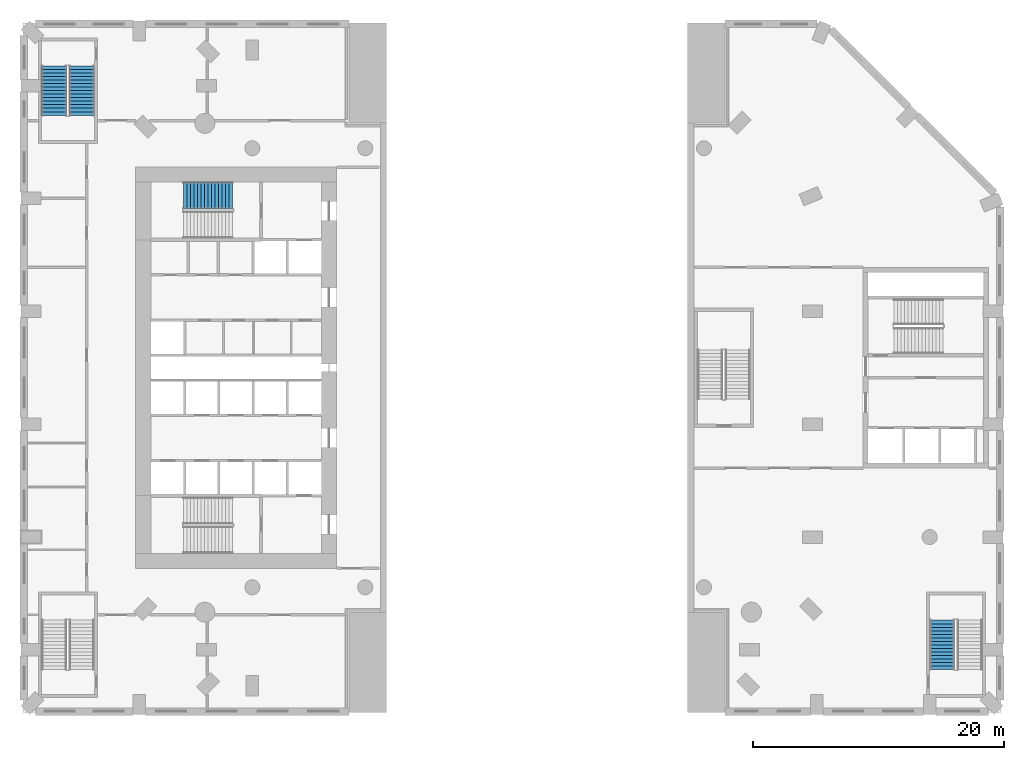
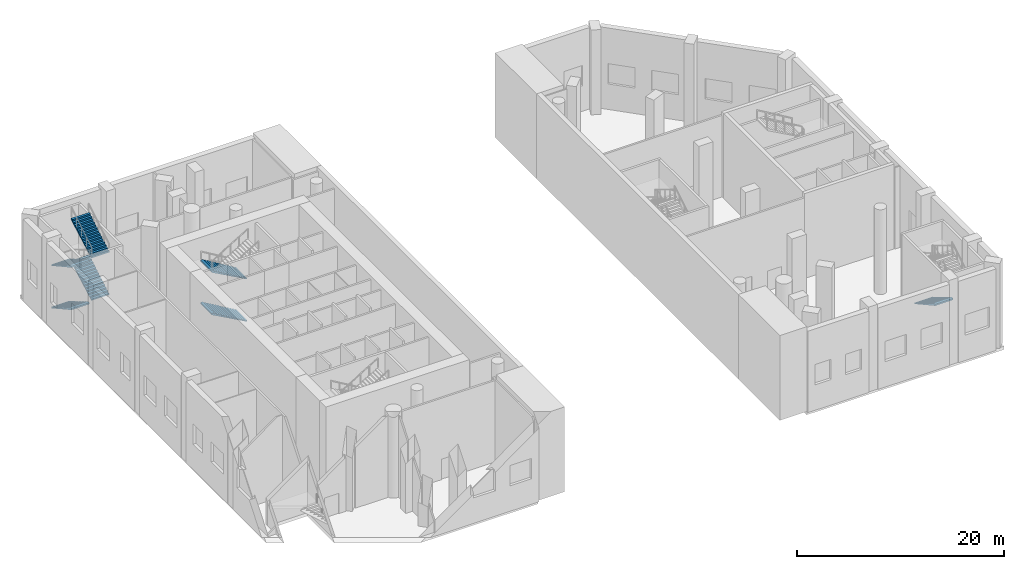
# One storey, part 11 of 16: 7 stair flights, 3 elements without a shape of their own.
"""IFC4 building model written with IfcOpenShell, lengths in metres."""

from ifc_helpers import new_model, si_unit, direction, frame, origin, place, context, subcontext, project, spatial, triangles, material, type_object, element, aggregate, save


model = new_model("IFC4")

# Units and contexts
model_context = context("Model", 3, precision=1e-05, world=origin(), true_north=direction((0.0, 1.0)))
body_context = subcontext(model_context, "Body", "Model", "MODEL_VIEW")
ifc_project = project(units=[si_unit("LENGTHUNIT", "METRE"), si_unit("AREAUNIT", "SQUARE_METRE"), si_unit("VOLUMEUNIT", "CUBIC_METRE"), si_unit("PLANEANGLEUNIT", "RADIAN"), si_unit("MASSUNIT", "GRAM", prefix="KILO")], contexts=[model_context])

# Site, building, storey
site_placement = place(None, origin())
site = spatial("IfcSite", under=ifc_project, at=site_placement, CompositionType="ELEMENT")
building_placement = place(site_placement, origin())
building = spatial("IfcBuilding", under=site, at=building_placement, Name="Cypress Arch Tower", CompositionType="ELEMENT")
storey_placement = place(building_placement, frame((0.0, 0.0, 9.0)))
storey = spatial("IfcBuildingStorey", under=building, at=storey_placement, Name="L01", CompositionType="ELEMENT", Elevation=9.0)

# Stair, stair flights
ifc_material_1 = material(Name="Concrete C40/50", Category="concrete")
stair_type_1 = type_object("IfcStairType", Name="Exit stair ES1667-200", PredefinedType="HALF_TURN_STAIR", material=ifc_material_1)
stair_1_placement = place(storey_placement, origin())
stair_1 = element("IfcStair", 1, at=stair_1_placement, inside=storey, type_object=stair_type_1, Name="L01 Exit stair P2", PredefinedType="HALF_TURN_STAIR")
ifc_material_2 = material(Name="Concrete C40/50", Category="concrete")
stair_flight_type_1 = type_object("IfcStairFlightType", Name="Exit stair flight ES1667-200", PredefinedType="STRAIGHT", material=ifc_material_2)
stair_flight_1_placement = place(storey_placement, frame((-36.5, 24.050048828125, 0.0), z_axis=(0.0, 0.0, 1.0), x_axis=(0.0, -1.0, 0.0)))
stair_flight_1 = element("IfcStairFlight", 2, at=stair_flight_1_placement, type_object=stair_flight_type_1, Name="P2 flight 1", NumberOfRisers=15, NumberOfTreads=14, PredefinedType="STRAIGHT", RiserHeight=0.166666667, TreadLength=0.28, context=body_context, shape_type="Tessellation", body=[
    triangles([(0.0, -1.0, 0.0), (0.0, -1.0, 0.166748046875), (0.280029296875, -1.0, 0.166748046875), (0.280029296875, -1.0, 0.333251953125), (0.56005859375, -1.0, 0.333251953125), (0.56005859375, -1.0, 0.5), (0.840087890625, -1.0, 0.5), (0.840087890625, -1.0, 0.666748046875), (1.1201171875, -1.0, 0.666748046875), (1.1201171875, -1.0, 0.833251953125), (1.39990234375, -1.0, 0.833251953125), (1.39990234375, -1.0, 1.0), (1.679931640625, -1.0, 1.0), (1.679931640625, -1.0, 1.166748046875), (1.9599609375, -1.0, 1.166748046875), (1.9599609375, -1.0, 1.333251953125), (2.239990234375, -1.0, 1.333251953125), (2.239990234375, -1.0, 1.5), (2.52001953125, -1.0, 1.5), (2.52001953125, -1.0, 1.666748046875), (2.800048828125, -1.0, 1.666748046875), (2.800048828125, -1.0, 1.833251953125), (3.080078125, -1.0, 1.833251953125), (3.080078125, -1.0, 2.0), (3.360107421875, -1.0, 2.0), (3.360107421875, -1.0, 2.166748046875), (3.639892578125, -1.0, 2.166748046875), (3.639892578125, -1.0, 2.333251953125), (3.919921875, -1.0, 2.333251953125), (3.919921875, -1.0, 2.158935546875), (3.919921875, 1.0, 2.158935546875), (3.919921875, 1.0, 2.333251953125), (3.639892578125, 1.0, 2.333251953125), (3.639892578125, 1.0, 2.166748046875), (3.360107421875, 1.0, 2.166748046875), (3.360107421875, 1.0, 2.0), (3.080078125, 1.0, 2.0), (3.080078125, 1.0, 1.833251953125), (2.800048828125, 1.0, 1.833251953125), (2.800048828125, 1.0, 1.666748046875), (2.52001953125, 1.0, 1.666748046875), (2.52001953125, 1.0, 1.5), (2.239990234375, 1.0, 1.5), (2.239990234375, 1.0, 1.333251953125), (1.9599609375, 1.0, 1.333251953125), (1.9599609375, 1.0, 1.166748046875), (1.679931640625, 1.0, 1.166748046875), (1.679931640625, 1.0, 1.0), (1.39990234375, 1.0, 1.0), (1.39990234375, 1.0, 0.833251953125), (1.1201171875, 1.0, 0.833251953125), (1.1201171875, 1.0, 0.666748046875), (0.840087890625, 1.0, 0.666748046875), (0.840087890625, 1.0, 0.5), (0.56005859375, 1.0, 0.5), (0.56005859375, 1.0, 0.333251953125), (0.280029296875, 1.0, 0.333251953125), (0.280029296875, 1.0, 0.166748046875), (0.0, 1.0, 0.166748046875), (0.0, 1.0, 0.0)], [[30, 29, 28], [27, 26, 25], [25, 24, 23], [21, 20, 19], [19, 18, 17], [15, 14, 13], [13, 12, 11], [9, 8, 7], [7, 6, 5], [3, 2, 1], [11, 10, 9], [23, 22, 21], [17, 16, 15], [5, 4, 3], [30, 28, 27], [30, 27, 25], [30, 25, 23], [30, 23, 21], [30, 21, 19], [30, 19, 17], [30, 17, 15], [30, 15, 13], [30, 13, 11], [30, 11, 9], [30, 9, 7], [30, 7, 5], [1, 30, 5], [5, 3, 1], [31, 33, 32], [34, 36, 35], [36, 38, 37], [40, 42, 41], [42, 44, 43], [46, 48, 47], [48, 50, 49], [52, 54, 53], [54, 56, 55], [58, 60, 59], [50, 52, 51], [38, 40, 39], [44, 46, 45], [56, 58, 57], [31, 34, 33], [31, 36, 34], [31, 38, 36], [31, 40, 38], [31, 42, 40], [31, 44, 42], [31, 46, 44], [31, 48, 46], [31, 50, 48], [31, 52, 50], [31, 54, 52], [31, 56, 54], [60, 56, 31], [56, 60, 58], [31, 32, 29], [31, 29, 30], [32, 33, 28], [32, 28, 29], [33, 34, 27], [33, 27, 28], [34, 35, 26], [34, 26, 27], [35, 36, 25], [35, 25, 26], [36, 37, 24], [36, 24, 25], [37, 38, 23], [37, 23, 24], [38, 39, 22], [38, 22, 23], [39, 40, 21], [39, 21, 22], [40, 41, 20], [40, 20, 21], [41, 42, 19], [41, 19, 20], [42, 43, 18], [42, 18, 19], [43, 44, 17], [43, 17, 18], [44, 45, 16], [44, 16, 17], [45, 46, 15], [45, 15, 16], [46, 47, 14], [46, 14, 15], [47, 48, 13], [47, 13, 14], [48, 49, 12], [48, 12, 13], [49, 50, 11], [49, 11, 12], [50, 51, 10], [50, 10, 11], [51, 52, 9], [51, 9, 10], [52, 53, 8], [52, 8, 9], [53, 54, 7], [53, 7, 8], [54, 55, 6], [54, 6, 7], [55, 56, 5], [55, 5, 6], [56, 57, 4], [56, 4, 5], [57, 58, 3], [57, 3, 4], [58, 59, 2], [58, 2, 3], [59, 60, 1], [59, 1, 2], [60, 31, 30], [60, 30, 1]], closed=True),
])
stair_flight_2_placement = place(storey_placement, frame((-34.300048828125, 20.1298828125, 2.5), z_axis=(0.0, 0.0, 1.0), x_axis=(0.0, 1.0, 0.0)))
stair_flight_2 = element("IfcStairFlight", 3, at=stair_flight_2_placement, type_object=stair_flight_type_1, Name="P2 flight 2", NumberOfRisers=15, NumberOfTreads=14, PredefinedType="STRAIGHT", RiserHeight=0.166666667, TreadLength=0.28, context=body_context, shape_type="Tessellation", body=[
    triangles([(0.0, -1.0, 0.0), (0.0, -1.0, 0.166748046875), (0.280029296875, -1.0, 0.166748046875), (0.280029296875, -1.0, 0.333251953125), (0.56005859375, -1.0, 0.333251953125), (0.56005859375, -1.0, 0.5), (0.840087890625, -1.0, 0.5), (0.840087890625, -1.0, 0.666748046875), (1.1201171875, -1.0, 0.666748046875), (1.1201171875, -1.0, 0.833251953125), (1.39990234375, -1.0, 0.833251953125), (1.39990234375, -1.0, 1.0), (1.679931640625, -1.0, 1.0), (1.679931640625, -1.0, 1.166748046875), (1.9599609375, -1.0, 1.166748046875), (1.9599609375, -1.0, 1.333251953125), (2.239990234375, -1.0, 1.333251953125), (2.239990234375, -1.0, 1.5), (2.52001953125, -1.0, 1.5), (2.52001953125, -1.0, 1.666748046875), (2.800048828125, -1.0, 1.666748046875), (2.800048828125, -1.0, 1.833251953125), (3.080078125, -1.0, 1.833251953125), (3.080078125, -1.0, 2.0), (3.360107421875, -1.0, 2.0), (3.360107421875, -1.0, 2.166748046875), (3.639892578125, -1.0, 2.166748046875), (3.639892578125, -1.0, 2.333251953125), (3.919921875, -1.0, 2.333251953125), (3.919921875, -1.0, 2.158935546875), (3.919921875, 1.0, 2.158935546875), (3.919921875, 1.0, 2.333251953125), (3.639892578125, 1.0, 2.333251953125), (3.639892578125, 1.0, 2.166748046875), (3.360107421875, 1.0, 2.166748046875), (3.360107421875, 1.0, 2.0), (3.080078125, 1.0, 2.0), (3.080078125, 1.0, 1.833251953125), (2.800048828125, 1.0, 1.833251953125), (2.800048828125, 1.0, 1.666748046875), (2.52001953125, 1.0, 1.666748046875), (2.52001953125, 1.0, 1.5), (2.239990234375, 1.0, 1.5), (2.239990234375, 1.0, 1.333251953125), (1.9599609375, 1.0, 1.333251953125), (1.9599609375, 1.0, 1.166748046875), (1.679931640625, 1.0, 1.166748046875), (1.679931640625, 1.0, 1.0), (1.39990234375, 1.0, 1.0), (1.39990234375, 1.0, 0.833251953125), (1.1201171875, 1.0, 0.833251953125), (1.1201171875, 1.0, 0.666748046875), (0.840087890625, 1.0, 0.666748046875), (0.840087890625, 1.0, 0.5), (0.56005859375, 1.0, 0.5), (0.56005859375, 1.0, 0.333251953125), (0.280029296875, 1.0, 0.333251953125), (0.280029296875, 1.0, 0.166748046875), (0.0, 1.0, 0.166748046875), (0.0, 1.0, 0.0)], [[30, 29, 28], [27, 26, 25], [25, 24, 23], [21, 20, 19], [19, 18, 17], [15, 14, 13], [13, 12, 11], [9, 8, 7], [7, 6, 5], [3, 2, 1], [11, 10, 9], [23, 22, 21], [17, 16, 15], [5, 4, 3], [30, 28, 27], [30, 27, 25], [30, 25, 23], [30, 23, 21], [30, 21, 19], [30, 19, 17], [30, 17, 15], [30, 15, 13], [30, 13, 11], [30, 11, 9], [30, 9, 7], [30, 7, 5], [1, 30, 5], [5, 3, 1], [31, 33, 32], [34, 36, 35], [36, 38, 37], [40, 42, 41], [42, 44, 43], [46, 48, 47], [48, 50, 49], [52, 54, 53], [54, 56, 55], [58, 60, 59], [50, 52, 51], [38, 40, 39], [44, 46, 45], [56, 58, 57], [31, 34, 33], [31, 36, 34], [31, 38, 36], [31, 40, 38], [31, 42, 40], [31, 44, 42], [31, 46, 44], [31, 48, 46], [31, 50, 48], [31, 52, 50], [31, 54, 52], [31, 56, 54], [60, 56, 31], [56, 60, 58], [31, 32, 29], [31, 29, 30], [32, 33, 28], [32, 28, 29], [33, 34, 27], [33, 27, 28], [34, 35, 26], [34, 26, 27], [35, 36, 25], [35, 25, 26], [36, 37, 24], [36, 24, 25], [37, 38, 23], [37, 23, 24], [38, 39, 22], [38, 22, 23], [39, 40, 21], [39, 21, 22], [40, 41, 20], [40, 20, 21], [41, 42, 19], [41, 19, 20], [42, 43, 18], [42, 18, 19], [43, 44, 17], [43, 17, 18], [44, 45, 16], [44, 16, 17], [45, 46, 15], [45, 15, 16], [46, 47, 14], [46, 14, 15], [47, 48, 13], [47, 13, 14], [48, 49, 12], [48, 12, 13], [49, 50, 11], [49, 11, 12], [50, 51, 10], [50, 10, 11], [51, 52, 9], [51, 9, 10], [52, 53, 8], [52, 8, 9], [53, 54, 7], [53, 7, 8], [54, 55, 6], [54, 6, 7], [55, 56, 5], [55, 5, 6], [56, 57, 4], [56, 4, 5], [57, 58, 3], [57, 3, 4], [58, 59, 2], [58, 2, 3], [59, 60, 1], [59, 1, 2], [60, 31, 30], [60, 30, 1]], closed=True),
])
stair_flight_3_placement = place(storey_placement, frame((-36.5, 24.050048828125, 5.0), z_axis=(0.0, 0.0, 1.0), x_axis=(0.0, -1.0, 0.0)))
stair_flight_3 = element("IfcStairFlight", 4, at=stair_flight_3_placement, type_object=stair_flight_type_1, Name="P2 flight 3", NumberOfRisers=15, NumberOfTreads=14, PredefinedType="STRAIGHT", RiserHeight=0.166666667, TreadLength=0.28, context=body_context, shape_type="Tessellation", body=[
    triangles([(0.0, -1.0, 0.0), (0.0, -1.0, 0.166748046875), (0.280029296875, -1.0, 0.166748046875), (0.280029296875, -1.0, 0.333251953125), (0.56005859375, -1.0, 0.333251953125), (0.56005859375, -1.0, 0.5), (0.840087890625, -1.0, 0.5), (0.840087890625, -1.0, 0.666748046875), (1.1201171875, -1.0, 0.666748046875), (1.1201171875, -1.0, 0.833251953125), (1.39990234375, -1.0, 0.833251953125), (1.39990234375, -1.0, 1.0), (1.679931640625, -1.0, 1.0), (1.679931640625, -1.0, 1.166748046875), (1.9599609375, -1.0, 1.166748046875), (1.9599609375, -1.0, 1.333251953125), (2.239990234375, -1.0, 1.333251953125), (2.239990234375, -1.0, 1.5), (2.52001953125, -1.0, 1.5), (2.52001953125, -1.0, 1.666748046875), (2.800048828125, -1.0, 1.666748046875), (2.800048828125, -1.0, 1.833251953125), (3.080078125, -1.0, 1.833251953125), (3.080078125, -1.0, 2.0), (3.360107421875, -1.0, 2.0), (3.360107421875, -1.0, 2.166748046875), (3.639892578125, -1.0, 2.166748046875), (3.639892578125, -1.0, 2.333251953125), (3.919921875, -1.0, 2.333251953125), (3.919921875, -1.0, 2.158935546875), (3.919921875, 1.0, 2.158935546875), (3.919921875, 1.0, 2.333251953125), (3.639892578125, 1.0, 2.333251953125), (3.639892578125, 1.0, 2.166748046875), (3.360107421875, 1.0, 2.166748046875), (3.360107421875, 1.0, 2.0), (3.080078125, 1.0, 2.0), (3.080078125, 1.0, 1.833251953125), (2.800048828125, 1.0, 1.833251953125), (2.800048828125, 1.0, 1.666748046875), (2.52001953125, 1.0, 1.666748046875), (2.52001953125, 1.0, 1.5), (2.239990234375, 1.0, 1.5), (2.239990234375, 1.0, 1.333251953125), (1.9599609375, 1.0, 1.333251953125), (1.9599609375, 1.0, 1.166748046875), (1.679931640625, 1.0, 1.166748046875), (1.679931640625, 1.0, 1.0), (1.39990234375, 1.0, 1.0), (1.39990234375, 1.0, 0.833251953125), (1.1201171875, 1.0, 0.833251953125), (1.1201171875, 1.0, 0.666748046875), (0.840087890625, 1.0, 0.666748046875), (0.840087890625, 1.0, 0.5), (0.56005859375, 1.0, 0.5), (0.56005859375, 1.0, 0.333251953125), (0.280029296875, 1.0, 0.333251953125), (0.280029296875, 1.0, 0.166748046875), (0.0, 1.0, 0.166748046875), (0.0, 1.0, 0.0)], [[30, 29, 28], [27, 26, 25], [25, 24, 23], [21, 20, 19], [19, 18, 17], [15, 14, 13], [13, 12, 11], [9, 8, 7], [7, 6, 5], [3, 2, 1], [11, 10, 9], [23, 22, 21], [17, 16, 15], [5, 4, 3], [30, 28, 27], [30, 27, 25], [30, 25, 23], [30, 23, 21], [30, 21, 19], [30, 19, 17], [30, 17, 15], [30, 15, 13], [30, 13, 11], [30, 11, 9], [30, 9, 7], [30, 7, 5], [1, 30, 5], [5, 3, 1], [31, 33, 32], [34, 36, 35], [36, 38, 37], [40, 42, 41], [42, 44, 43], [46, 48, 47], [48, 50, 49], [52, 54, 53], [54, 56, 55], [58, 60, 59], [50, 52, 51], [38, 40, 39], [44, 46, 45], [56, 58, 57], [31, 34, 33], [31, 36, 34], [31, 38, 36], [31, 40, 38], [31, 42, 40], [31, 44, 42], [31, 46, 44], [31, 48, 46], [31, 50, 48], [31, 52, 50], [31, 54, 52], [31, 56, 54], [60, 56, 31], [56, 60, 58], [31, 32, 29], [31, 29, 30], [32, 33, 28], [32, 28, 29], [33, 34, 27], [33, 27, 28], [34, 35, 26], [34, 26, 27], [35, 36, 25], [35, 25, 26], [36, 37, 24], [36, 24, 25], [37, 38, 23], [37, 23, 24], [38, 39, 22], [38, 22, 23], [39, 40, 21], [39, 21, 22], [40, 41, 20], [40, 20, 21], [41, 42, 19], [41, 19, 20], [42, 43, 18], [42, 18, 19], [43, 44, 17], [43, 17, 18], [44, 45, 16], [44, 16, 17], [45, 46, 15], [45, 15, 16], [46, 47, 14], [46, 14, 15], [47, 48, 13], [47, 13, 14], [48, 49, 12], [48, 12, 13], [49, 50, 11], [49, 11, 12], [50, 51, 10], [50, 10, 11], [51, 52, 9], [51, 9, 10], [52, 53, 8], [52, 8, 9], [53, 54, 7], [53, 7, 8], [54, 55, 6], [54, 6, 7], [55, 56, 5], [55, 5, 6], [56, 57, 4], [56, 4, 5], [57, 58, 3], [57, 3, 4], [58, 59, 2], [58, 2, 3], [59, 60, 1], [59, 1, 2], [60, 31, 30], [60, 30, 1]], closed=True),
])
stair_flight_4_placement = place(storey_placement, frame((-34.300048828125, 20.1298828125, 7.5), z_axis=(0.0, 0.0, 1.0), x_axis=(0.0, 1.0, 0.0)))
stair_flight_4 = element("IfcStairFlight", 5, at=stair_flight_4_placement, type_object=stair_flight_type_1, Name="P2 flight 4", NumberOfRisers=15, NumberOfTreads=14, PredefinedType="STRAIGHT", RiserHeight=0.166666667, TreadLength=0.28, context=body_context, shape_type="Tessellation", body=[
    triangles([(0.0, -1.0, 0.0), (0.0, -1.0, 0.166748046875), (0.280029296875, -1.0, 0.166748046875), (0.280029296875, -1.0, 0.333251953125), (0.56005859375, -1.0, 0.333251953125), (0.56005859375, -1.0, 0.5), (0.840087890625, -1.0, 0.5), (0.840087890625, -1.0, 0.666748046875), (1.1201171875, -1.0, 0.666748046875), (1.1201171875, -1.0, 0.833251953125), (1.39990234375, -1.0, 0.833251953125), (1.39990234375, -1.0, 1.0), (1.679931640625, -1.0, 1.0), (1.679931640625, -1.0, 1.166748046875), (1.9599609375, -1.0, 1.166748046875), (1.9599609375, -1.0, 1.333251953125), (2.239990234375, -1.0, 1.333251953125), (2.239990234375, -1.0, 1.5), (2.52001953125, -1.0, 1.5), (2.52001953125, -1.0, 1.666748046875), (2.800048828125, -1.0, 1.666748046875), (2.800048828125, -1.0, 1.833251953125), (3.080078125, -1.0, 1.833251953125), (3.080078125, -1.0, 2.0), (3.360107421875, -1.0, 2.0), (3.360107421875, -1.0, 2.166748046875), (3.639892578125, -1.0, 2.166748046875), (3.639892578125, -1.0, 2.333251953125), (3.919921875, -1.0, 2.333251953125), (3.919921875, -1.0, 2.158935546875), (3.919921875, 1.0, 2.158935546875), (3.919921875, 1.0, 2.333251953125), (3.639892578125, 1.0, 2.333251953125), (3.639892578125, 1.0, 2.166748046875), (3.360107421875, 1.0, 2.166748046875), (3.360107421875, 1.0, 2.0), (3.080078125, 1.0, 2.0), (3.080078125, 1.0, 1.833251953125), (2.800048828125, 1.0, 1.833251953125), (2.800048828125, 1.0, 1.666748046875), (2.52001953125, 1.0, 1.666748046875), (2.52001953125, 1.0, 1.5), (2.239990234375, 1.0, 1.5), (2.239990234375, 1.0, 1.333251953125), (1.9599609375, 1.0, 1.333251953125), (1.9599609375, 1.0, 1.166748046875), (1.679931640625, 1.0, 1.166748046875), (1.679931640625, 1.0, 1.0), (1.39990234375, 1.0, 1.0), (1.39990234375, 1.0, 0.833251953125), (1.1201171875, 1.0, 0.833251953125), (1.1201171875, 1.0, 0.666748046875), (0.840087890625, 1.0, 0.666748046875), (0.840087890625, 1.0, 0.5), (0.56005859375, 1.0, 0.5), (0.56005859375, 1.0, 0.333251953125), (0.280029296875, 1.0, 0.333251953125), (0.280029296875, 1.0, 0.166748046875), (0.0, 1.0, 0.166748046875), (0.0, 1.0, 0.0)], [[30, 29, 28], [27, 26, 25], [25, 24, 23], [21, 20, 19], [19, 18, 17], [15, 14, 13], [13, 12, 11], [9, 8, 7], [7, 6, 5], [3, 2, 1], [11, 10, 9], [23, 22, 21], [17, 16, 15], [5, 4, 3], [30, 28, 27], [30, 27, 25], [30, 25, 23], [30, 23, 21], [30, 21, 19], [30, 19, 17], [30, 17, 15], [30, 15, 13], [30, 13, 11], [30, 11, 9], [30, 9, 7], [30, 7, 5], [1, 30, 5], [5, 3, 1], [31, 33, 32], [34, 36, 35], [36, 38, 37], [40, 42, 41], [42, 44, 43], [46, 48, 47], [48, 50, 49], [52, 54, 53], [54, 56, 55], [58, 60, 59], [50, 52, 51], [38, 40, 39], [44, 46, 45], [56, 58, 57], [31, 34, 33], [31, 36, 34], [31, 38, 36], [31, 40, 38], [31, 42, 40], [31, 44, 42], [31, 46, 44], [31, 48, 46], [31, 50, 48], [31, 52, 50], [31, 54, 52], [31, 56, 54], [60, 56, 31], [56, 60, 58], [31, 32, 29], [31, 29, 30], [32, 33, 28], [32, 28, 29], [33, 34, 27], [33, 27, 28], [34, 35, 26], [34, 26, 27], [35, 36, 25], [35, 25, 26], [36, 37, 24], [36, 24, 25], [37, 38, 23], [37, 23, 24], [38, 39, 22], [38, 22, 23], [39, 40, 21], [39, 21, 22], [40, 41, 20], [40, 20, 21], [41, 42, 19], [41, 19, 20], [42, 43, 18], [42, 18, 19], [43, 44, 17], [43, 17, 18], [44, 45, 16], [44, 16, 17], [45, 46, 15], [45, 15, 16], [46, 47, 14], [46, 14, 15], [47, 48, 13], [47, 13, 14], [48, 49, 12], [48, 12, 13], [49, 50, 11], [49, 11, 12], [50, 51, 10], [50, 10, 11], [51, 52, 9], [51, 9, 10], [52, 53, 8], [52, 8, 9], [53, 54, 7], [53, 7, 8], [54, 55, 6], [54, 6, 7], [55, 56, 5], [55, 5, 6], [56, 57, 4], [56, 4, 5], [57, 58, 3], [57, 3, 4], [58, 59, 2], [58, 2, 3], [59, 60, 1], [59, 1, 2], [60, 31, 30], [60, 30, 1]], closed=True),
])
aggregate(stair_1, [stair_flight_1, stair_flight_2, stair_flight_3, stair_flight_4])

# Stair, stair flight
stair_2_placement = place(storey_placement, origin())
stair_2 = element("IfcStair", 6, at=stair_2_placement, inside=storey, type_object=stair_type_1, Name="L01 Exit stair P4", PredefinedType="HALF_TURN_STAIR")
stair_flight_5_placement = place(storey_placement, frame((34.300048828125, -20.1298828125, 2.5), z_axis=(0.0, 0.0, 1.0), x_axis=(0.0, -1.0, 0.0)))
stair_flight_5 = element("IfcStairFlight", 7, at=stair_flight_5_placement, type_object=stair_flight_type_1, Name="P4 flight 2", NumberOfRisers=15, NumberOfTreads=14, PredefinedType="STRAIGHT", RiserHeight=0.166666667, TreadLength=0.28, context=body_context, shape_type="Tessellation", body=[
    triangles([(0.0, -1.0, 0.0), (0.0, -1.0, 0.166748046875), (0.280029296875, -1.0, 0.166748046875), (0.280029296875, -1.0, 0.333251953125), (0.56005859375, -1.0, 0.333251953125), (0.56005859375, -1.0, 0.5), (0.840087890625, -1.0, 0.5), (0.840087890625, -1.0, 0.666748046875), (1.1201171875, -1.0, 0.666748046875), (1.1201171875, -1.0, 0.833251953125), (1.39990234375, -1.0, 0.833251953125), (1.39990234375, -1.0, 1.0), (1.679931640625, -1.0, 1.0), (1.679931640625, -1.0, 1.166748046875), (1.9599609375, -1.0, 1.166748046875), (1.9599609375, -1.0, 1.333251953125), (2.239990234375, -1.0, 1.333251953125), (2.239990234375, -1.0, 1.5), (2.52001953125, -1.0, 1.5), (2.52001953125, -1.0, 1.666748046875), (2.800048828125, -1.0, 1.666748046875), (2.800048828125, -1.0, 1.833251953125), (3.080078125, -1.0, 1.833251953125), (3.080078125, -1.0, 2.0), (3.360107421875, -1.0, 2.0), (3.360107421875, -1.0, 2.166748046875), (3.639892578125, -1.0, 2.166748046875), (3.639892578125, -1.0, 2.333251953125), (3.919921875, -1.0, 2.333251953125), (3.919921875, -1.0, 2.158935546875), (3.919921875, 1.0, 2.158935546875), (3.919921875, 1.0, 2.333251953125), (3.639892578125, 1.0, 2.333251953125), (3.639892578125, 1.0, 2.166748046875), (3.360107421875, 1.0, 2.166748046875), (3.360107421875, 1.0, 2.0), (3.080078125, 1.0, 2.0), (3.080078125, 1.0, 1.833251953125), (2.800048828125, 1.0, 1.833251953125), (2.800048828125, 1.0, 1.666748046875), (2.52001953125, 1.0, 1.666748046875), (2.52001953125, 1.0, 1.5), (2.239990234375, 1.0, 1.5), (2.239990234375, 1.0, 1.333251953125), (1.9599609375, 1.0, 1.333251953125), (1.9599609375, 1.0, 1.166748046875), (1.679931640625, 1.0, 1.166748046875), (1.679931640625, 1.0, 1.0), (1.39990234375, 1.0, 1.0), (1.39990234375, 1.0, 0.833251953125), (1.1201171875, 1.0, 0.833251953125), (1.1201171875, 1.0, 0.666748046875), (0.840087890625, 1.0, 0.666748046875), (0.840087890625, 1.0, 0.5), (0.56005859375, 1.0, 0.5), (0.56005859375, 1.0, 0.333251953125), (0.280029296875, 1.0, 0.333251953125), (0.280029296875, 1.0, 0.166748046875), (0.0, 1.0, 0.166748046875), (0.0, 1.0, 0.0)], [[30, 29, 28], [27, 26, 25], [25, 24, 23], [21, 20, 19], [19, 18, 17], [15, 14, 13], [13, 12, 11], [9, 8, 7], [7, 6, 5], [3, 2, 1], [11, 10, 9], [23, 22, 21], [17, 16, 15], [5, 4, 3], [30, 28, 27], [30, 27, 25], [30, 25, 23], [30, 23, 21], [30, 21, 19], [30, 19, 17], [30, 17, 15], [30, 15, 13], [30, 13, 11], [30, 11, 9], [30, 9, 7], [30, 7, 5], [1, 30, 5], [5, 3, 1], [31, 33, 32], [34, 36, 35], [36, 38, 37], [40, 42, 41], [42, 44, 43], [46, 48, 47], [48, 50, 49], [52, 54, 53], [54, 56, 55], [58, 60, 59], [50, 52, 51], [38, 40, 39], [44, 46, 45], [56, 58, 57], [31, 34, 33], [31, 36, 34], [31, 38, 36], [31, 40, 38], [31, 42, 40], [31, 44, 42], [31, 46, 44], [31, 48, 46], [31, 50, 48], [31, 52, 50], [31, 54, 52], [31, 56, 54], [60, 56, 31], [56, 60, 58], [31, 32, 29], [31, 29, 30], [32, 33, 28], [32, 28, 29], [33, 34, 27], [33, 27, 28], [34, 35, 26], [34, 26, 27], [35, 36, 25], [35, 25, 26], [36, 37, 24], [36, 24, 25], [37, 38, 23], [37, 23, 24], [38, 39, 22], [38, 22, 23], [39, 40, 21], [39, 21, 22], [40, 41, 20], [40, 20, 21], [41, 42, 19], [41, 19, 20], [42, 43, 18], [42, 18, 19], [43, 44, 17], [43, 17, 18], [44, 45, 16], [44, 16, 17], [45, 46, 15], [45, 15, 16], [46, 47, 14], [46, 14, 15], [47, 48, 13], [47, 13, 14], [48, 49, 12], [48, 12, 13], [49, 50, 11], [49, 11, 12], [50, 51, 10], [50, 10, 11], [51, 52, 9], [51, 9, 10], [52, 53, 8], [52, 8, 9], [53, 54, 7], [53, 7, 8], [54, 55, 6], [54, 6, 7], [55, 56, 5], [55, 5, 6], [56, 57, 4], [56, 4, 5], [57, 58, 3], [57, 3, 4], [58, 59, 2], [58, 2, 3], [59, 60, 1], [59, 1, 2], [60, 31, 30], [60, 30, 1]], closed=True),
])
aggregate(stair_2, [stair_flight_5])

# Stair, stair flights
ifc_material_3 = material(Name="Concrete C40/50", Category="concrete")
stair_type_2 = type_object("IfcStairType", Name="Exit stair ES1667-215", PredefinedType="HALF_TURN_STAIR", material=ifc_material_3)
stair_3_placement = place(storey_placement, origin())
stair_3 = element("IfcStair", 8, at=stair_3_placement, inside=storey, type_object=stair_type_2, Name="L01 Exit stair B", PredefinedType="HALF_TURN_STAIR")
ifc_material_4 = material(Name="Concrete C40/50", Category="concrete")
stair_flight_type_2 = type_object("IfcStairFlightType", Name="Exit stair flight ES1667-215", PredefinedType="STRAIGHT", material=ifc_material_4)
stair_flight_6_placement = place(storey_placement, frame((-22.27490234375, 13.72509765625, 0.0), z_axis=(0.0, 0.0, 1.0), x_axis=(-1.0, 0.0, 0.0)))
stair_flight_6 = element("IfcStairFlight", 9, at=stair_flight_6_placement, type_object=stair_flight_type_2, Name="B flight 1", NumberOfRisers=15, NumberOfTreads=14, PredefinedType="STRAIGHT", RiserHeight=0.166666667, TreadLength=0.28, context=body_context, shape_type="Tessellation", body=[
    triangles([(0.0, -1.074951171875, 0.0), (0.00048828125, -1.074951171875, 0.0556640625), (0.00048828125, -1.074951171875, 0.111083984375), (0.0, -1.074951171875, 0.166748046875), (0.280029296875, -1.074951171875, 0.166748046875), (0.280029296875, -1.074951171875, 0.333251953125), (0.56005859375, -1.074951171875, 0.333251953125), (0.56005859375, -1.074951171875, 0.5), (0.840087890625, -1.074951171875, 0.5), (0.840087890625, -1.074951171875, 0.666748046875), (1.1201171875, -1.074951171875, 0.666748046875), (1.1201171875, -1.074951171875, 0.833251953125), (1.39990234375, -1.074951171875, 0.833251953125), (1.39990234375, -1.074951171875, 1.0), (1.679931640625, -1.074951171875, 1.0), (1.679931640625, -1.074951171875, 1.166748046875), (1.9599609375, -1.074951171875, 1.166748046875), (1.9599609375, -1.074951171875, 1.333251953125), (2.239990234375, -1.074951171875, 1.333251953125), (2.239990234375, -1.074951171875, 1.5), (2.52001953125, -1.074951171875, 1.5), (2.52001953125, -1.074951171875, 1.666748046875), (2.800048828125, -1.074951171875, 1.666748046875), (2.800048828125, -1.074951171875, 1.833251953125), (3.080078125, -1.074951171875, 1.833251953125), (3.080078125, -1.074951171875, 2.0), (3.360107421875, -1.074951171875, 2.0), (3.360107421875, -1.074951171875, 2.166748046875), (3.639892578125, -1.074951171875, 2.166748046875), (3.639892578125, -1.074951171875, 2.333251953125), (3.919921875, -1.074951171875, 2.333251953125), (3.91943359375, -1.074951171875, 2.275146484375), (3.91943359375, -1.074951171875, 2.217041015625), (3.919921875, -1.074951171875, 2.158935546875), (3.919921875, 1.074951171875, 2.158935546875), (3.91943359375, 1.074951171875, 2.217041015625), (3.91943359375, 1.074951171875, 2.275146484375), (3.919921875, 1.074951171875, 2.333251953125), (3.639892578125, 1.074951171875, 2.333251953125), (3.639892578125, 1.074951171875, 2.166748046875), (3.360107421875, 1.074951171875, 2.166748046875), (3.360107421875, 1.074951171875, 2.0), (3.080078125, 1.074951171875, 2.0), (3.080078125, 1.074951171875, 1.833251953125), (2.800048828125, 1.074951171875, 1.833251953125), (2.800048828125, 1.074951171875, 1.666748046875), (2.52001953125, 1.074951171875, 1.666748046875), (2.52001953125, 1.074951171875, 1.5), (2.239990234375, 1.074951171875, 1.5), (2.239990234375, 1.074951171875, 1.333251953125), (1.9599609375, 1.074951171875, 1.333251953125), (1.9599609375, 1.074951171875, 1.166748046875), (1.679931640625, 1.074951171875, 1.166748046875), (1.679931640625, 1.074951171875, 1.0), (1.39990234375, 1.074951171875, 1.0), (1.39990234375, 1.074951171875, 0.833251953125), (1.1201171875, 1.074951171875, 0.833251953125), (1.1201171875, 1.074951171875, 0.666748046875), (0.840087890625, 1.074951171875, 0.666748046875), (0.840087890625, 1.074951171875, 0.5), (0.56005859375, 1.074951171875, 0.5), (0.56005859375, 1.074951171875, 0.333251953125), (0.280029296875, 1.074951171875, 0.333251953125), (0.280029296875, 1.074951171875, 0.166748046875), (0.0, 1.074951171875, 0.166748046875), (0.00048828125, 1.074951171875, 0.111083984375), (0.00048828125, 1.074951171875, 0.0556640625), (0.0, 1.074951171875, 0.0)], [[34, 33, 30], [33, 32, 30], [32, 31, 30], [29, 28, 27], [27, 26, 25], [23, 22, 21], [21, 20, 19], [17, 16, 15], [15, 14, 13], [11, 10, 9], [9, 8, 7], [4, 3, 5], [3, 2, 5], [2, 1, 5], [13, 12, 11], [25, 24, 23], [19, 18, 17], [7, 6, 5], [34, 30, 29], [34, 29, 27], [34, 27, 25], [34, 25, 23], [34, 23, 21], [34, 21, 19], [34, 19, 17], [34, 17, 15], [34, 15, 13], [34, 13, 11], [34, 11, 9], [34, 9, 7], [1, 34, 7], [7, 5, 1], [35, 39, 36], [36, 39, 37], [37, 39, 38], [40, 42, 41], [42, 44, 43], [46, 48, 47], [48, 50, 49], [52, 54, 53], [54, 56, 55], [58, 60, 59], [60, 62, 61], [65, 64, 66], [66, 64, 67], [67, 64, 68], [56, 58, 57], [44, 46, 45], [50, 52, 51], [62, 64, 63], [35, 40, 39], [35, 42, 40], [35, 44, 42], [35, 46, 44], [35, 48, 46], [35, 50, 48], [35, 52, 50], [35, 54, 52], [35, 56, 54], [35, 58, 56], [35, 60, 58], [35, 62, 60], [68, 62, 35], [62, 68, 64], [35, 36, 33], [35, 33, 34], [36, 37, 32], [36, 32, 33], [37, 38, 31], [37, 31, 32], [38, 39, 30], [38, 30, 31], [39, 40, 29], [39, 29, 30], [40, 41, 28], [40, 28, 29], [41, 42, 27], [41, 27, 28], [42, 43, 26], [42, 26, 27], [43, 44, 25], [43, 25, 26], [44, 45, 24], [44, 24, 25], [45, 46, 23], [45, 23, 24], [46, 47, 22], [46, 22, 23], [47, 48, 21], [47, 21, 22], [48, 49, 20], [48, 20, 21], [49, 50, 19], [49, 19, 20], [50, 51, 18], [50, 18, 19], [51, 52, 17], [51, 17, 18], [52, 53, 16], [52, 16, 17], [53, 54, 15], [53, 15, 16], [54, 55, 14], [54, 14, 15], [55, 56, 13], [55, 13, 14], [56, 57, 12], [56, 12, 13], [57, 58, 11], [57, 11, 12], [58, 59, 10], [58, 10, 11], [59, 60, 9], [59, 9, 10], [60, 61, 8], [60, 8, 9], [61, 62, 7], [61, 7, 8], [62, 63, 6], [62, 6, 7], [63, 64, 5], [63, 5, 6], [64, 65, 4], [64, 4, 5], [65, 66, 3], [65, 3, 4], [66, 67, 2], [66, 2, 3], [67, 68, 1], [67, 1, 2], [68, 35, 34], [68, 34, 1]], closed=True),
])
stair_flight_7_placement = place(storey_placement, frame((-22.27490234375, 13.72509765625, 5.0), z_axis=(0.0, 0.0, 1.0), x_axis=(-1.0, 0.0, 0.0)))
stair_flight_7 = element("IfcStairFlight", 10, at=stair_flight_7_placement, type_object=stair_flight_type_2, Name="B flight 3", NumberOfRisers=15, NumberOfTreads=14, PredefinedType="STRAIGHT", RiserHeight=0.166666667, TreadLength=0.28, context=body_context, shape_type="Tessellation", body=[
    triangles([(0.0, -1.074951171875, 0.0), (0.00048828125, -1.074951171875, 0.0556640625), (0.00048828125, -1.074951171875, 0.111083984375), (0.0, -1.074951171875, 0.166748046875), (0.280029296875, -1.074951171875, 0.166748046875), (0.280029296875, -1.074951171875, 0.333251953125), (0.56005859375, -1.074951171875, 0.333251953125), (0.56005859375, -1.074951171875, 0.5), (0.840087890625, -1.074951171875, 0.5), (0.840087890625, -1.074951171875, 0.666748046875), (1.1201171875, -1.074951171875, 0.666748046875), (1.1201171875, -1.074951171875, 0.833251953125), (1.39990234375, -1.074951171875, 0.833251953125), (1.39990234375, -1.074951171875, 1.0), (1.679931640625, -1.074951171875, 1.0), (1.679931640625, -1.074951171875, 1.166748046875), (1.9599609375, -1.074951171875, 1.166748046875), (1.9599609375, -1.074951171875, 1.333251953125), (2.239990234375, -1.074951171875, 1.333251953125), (2.239990234375, -1.074951171875, 1.5), (2.52001953125, -1.074951171875, 1.5), (2.52001953125, -1.074951171875, 1.666748046875), (2.800048828125, -1.074951171875, 1.666748046875), (2.800048828125, -1.074951171875, 1.833251953125), (3.080078125, -1.074951171875, 1.833251953125), (3.080078125, -1.074951171875, 2.0), (3.360107421875, -1.074951171875, 2.0), (3.360107421875, -1.074951171875, 2.166748046875), (3.639892578125, -1.074951171875, 2.166748046875), (3.639892578125, -1.074951171875, 2.333251953125), (3.919921875, -1.074951171875, 2.333251953125), (3.91943359375, -1.074951171875, 2.275146484375), (3.91943359375, -1.074951171875, 2.217041015625), (3.919921875, -1.074951171875, 2.158935546875), (3.919921875, 1.074951171875, 2.158935546875), (3.91943359375, 1.074951171875, 2.217041015625), (3.91943359375, 1.074951171875, 2.275146484375), (3.919921875, 1.074951171875, 2.333251953125), (3.639892578125, 1.074951171875, 2.333251953125), (3.639892578125, 1.074951171875, 2.166748046875), (3.360107421875, 1.074951171875, 2.166748046875), (3.360107421875, 1.074951171875, 2.0), (3.080078125, 1.074951171875, 2.0), (3.080078125, 1.074951171875, 1.833251953125), (2.800048828125, 1.074951171875, 1.833251953125), (2.800048828125, 1.074951171875, 1.666748046875), (2.52001953125, 1.074951171875, 1.666748046875), (2.52001953125, 1.074951171875, 1.5), (2.239990234375, 1.074951171875, 1.5), (2.239990234375, 1.074951171875, 1.333251953125), (1.9599609375, 1.074951171875, 1.333251953125), (1.9599609375, 1.074951171875, 1.166748046875), (1.679931640625, 1.074951171875, 1.166748046875), (1.679931640625, 1.074951171875, 1.0), (1.39990234375, 1.074951171875, 1.0), (1.39990234375, 1.074951171875, 0.833251953125), (1.1201171875, 1.074951171875, 0.833251953125), (1.1201171875, 1.074951171875, 0.666748046875), (0.840087890625, 1.074951171875, 0.666748046875), (0.840087890625, 1.074951171875, 0.5), (0.56005859375, 1.074951171875, 0.5), (0.56005859375, 1.074951171875, 0.333251953125), (0.280029296875, 1.074951171875, 0.333251953125), (0.280029296875, 1.074951171875, 0.166748046875), (0.0, 1.074951171875, 0.166748046875), (0.00048828125, 1.074951171875, 0.111083984375), (0.00048828125, 1.074951171875, 0.0556640625), (0.0, 1.074951171875, 0.0)], [[34, 33, 30], [33, 32, 30], [32, 31, 30], [29, 28, 27], [27, 26, 25], [23, 22, 21], [21, 20, 19], [17, 16, 15], [15, 14, 13], [11, 10, 9], [9, 8, 7], [4, 3, 5], [3, 2, 5], [2, 1, 5], [13, 12, 11], [25, 24, 23], [19, 18, 17], [7, 6, 5], [34, 30, 29], [34, 29, 27], [34, 27, 25], [34, 25, 23], [34, 23, 21], [34, 21, 19], [34, 19, 17], [34, 17, 15], [34, 15, 13], [34, 13, 11], [34, 11, 9], [34, 9, 7], [1, 34, 7], [7, 5, 1], [35, 39, 36], [36, 39, 37], [37, 39, 38], [40, 42, 41], [42, 44, 43], [46, 48, 47], [48, 50, 49], [52, 54, 53], [54, 56, 55], [58, 60, 59], [60, 62, 61], [65, 64, 66], [66, 64, 67], [67, 64, 68], [56, 58, 57], [44, 46, 45], [50, 52, 51], [62, 64, 63], [35, 40, 39], [35, 42, 40], [35, 44, 42], [35, 46, 44], [35, 48, 46], [35, 50, 48], [35, 52, 50], [35, 54, 52], [35, 56, 54], [35, 58, 56], [35, 60, 58], [35, 62, 60], [68, 62, 35], [62, 68, 64], [35, 36, 33], [35, 33, 34], [36, 37, 32], [36, 32, 33], [37, 38, 31], [37, 31, 32], [38, 39, 30], [38, 30, 31], [39, 40, 29], [39, 29, 30], [40, 41, 28], [40, 28, 29], [41, 42, 27], [41, 27, 28], [42, 43, 26], [42, 26, 27], [43, 44, 25], [43, 25, 26], [44, 45, 24], [44, 24, 25], [45, 46, 23], [45, 23, 24], [46, 47, 22], [46, 22, 23], [47, 48, 21], [47, 21, 22], [48, 49, 20], [48, 20, 21], [49, 50, 19], [49, 19, 20], [50, 51, 18], [50, 18, 19], [51, 52, 17], [51, 17, 18], [52, 53, 16], [52, 16, 17], [53, 54, 15], [53, 15, 16], [54, 55, 14], [54, 14, 15], [55, 56, 13], [55, 13, 14], [56, 57, 12], [56, 12, 13], [57, 58, 11], [57, 11, 12], [58, 59, 10], [58, 10, 11], [59, 60, 9], [59, 9, 10], [60, 61, 8], [60, 8, 9], [61, 62, 7], [61, 7, 8], [62, 63, 6], [62, 6, 7], [63, 64, 5], [63, 5, 6], [64, 65, 4], [64, 4, 5], [65, 66, 3], [65, 3, 4], [66, 67, 2], [66, 2, 3], [67, 68, 1], [67, 1, 2], [68, 35, 34], [68, 34, 1]], closed=True),
])
aggregate(stair_3, [stair_flight_6, stair_flight_7])

save(model, "model.ifc")
